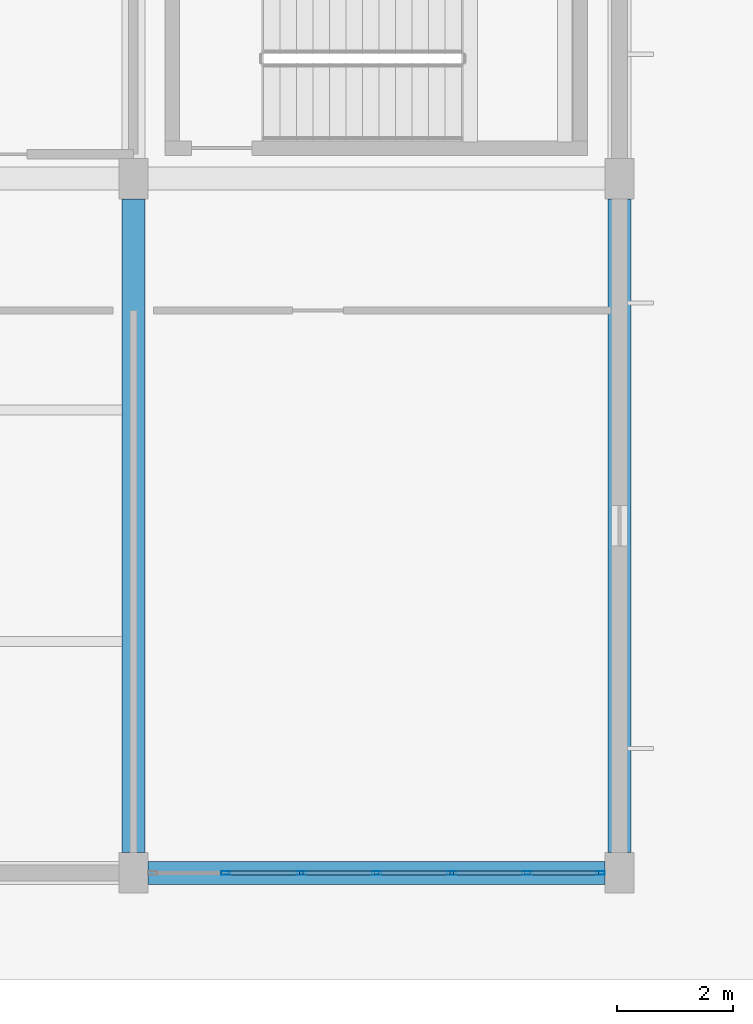
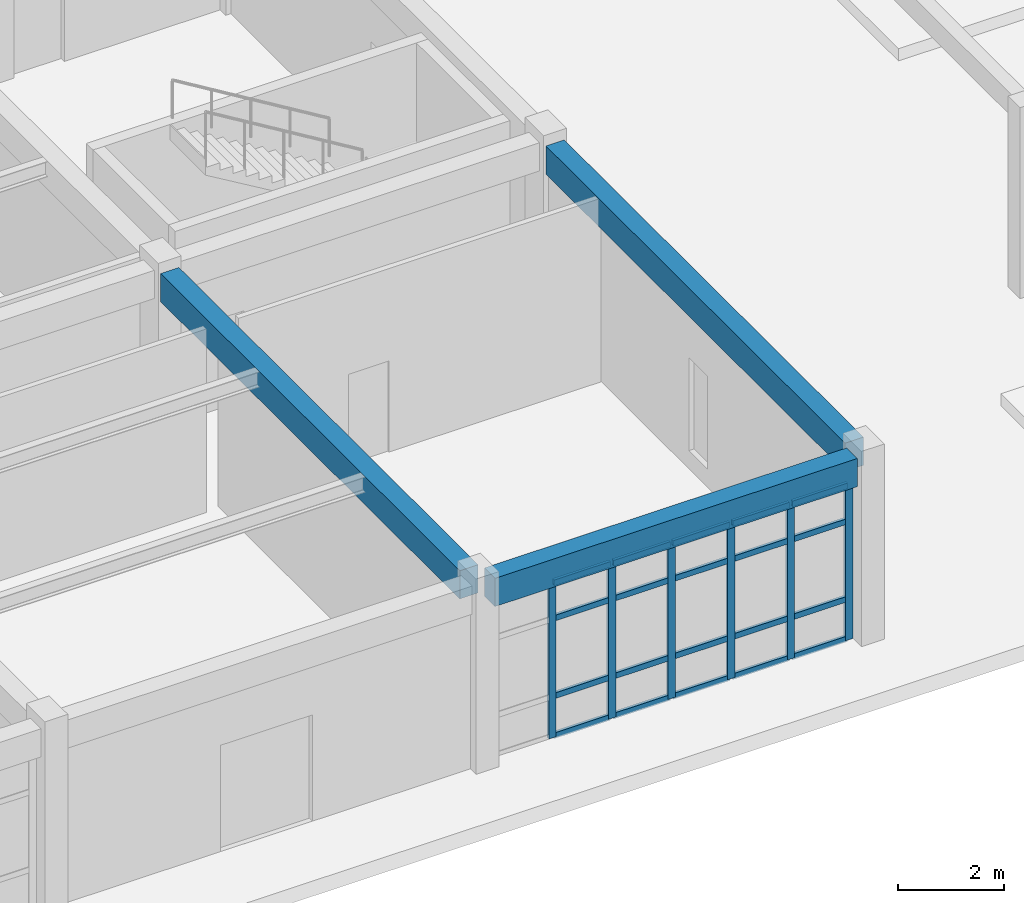
# One storey, part 42 of 154: 26 members, 3 beams, 1 element without a shape of its own.
"""IFC4 building model written with IfcOpenShell, lengths in metres."""

from ifc_helpers import new_model, si_unit, direction, frame, origin, origin_2d, place, context, subcontext, project, spatial, rectangle, hollow_rectangle, extrude, material, material_profile, profile_set, type_object, element, aggregate, save


model = new_model("IFC4")

# Units and contexts
model_context = context("Model", 3, precision=1e-05, world=origin(), true_north=direction((0.0, 1.0)))
body_context = subcontext(model_context, "Body", "Model", "MODEL_VIEW")
ifc_project = project(units=[si_unit("LENGTHUNIT", "METRE"), si_unit("AREAUNIT", "SQUARE_METRE"), si_unit("VOLUMEUNIT", "CUBIC_METRE"), si_unit("PLANEANGLEUNIT", "RADIAN"), si_unit("MASSUNIT", "GRAM", prefix="KILO")], contexts=[model_context])

# Site, building, storey
site_placement = place(None, origin())
site = spatial("IfcSite", under=ifc_project, at=site_placement, CompositionType="ELEMENT")
building_placement = place(site_placement, origin())
building = spatial("IfcBuilding", under=site, at=building_placement, Name="Kestramere Prow Commons", CompositionType="ELEMENT")
storey_placement = place(building_placement, origin())
storey = spatial("IfcBuildingStorey", under=building, at=storey_placement, Name="L00", CompositionType="ELEMENT", Elevation=0.0)

# Beams
ifc_material_1 = material(Name="Precast concrete C40/50", Category="concrete")
ifc_material_profile_1 = material_profile(ifc_material_1, rectangle(XDim=0.39990234375, YDim=0.64990234375, at=origin_2d()), Name="PC-BM 400x650")
ifc_profile_set_1 = profile_set([ifc_material_profile_1], Name="Precast concrete C40/50")
beam_type_1 = type_object("IfcBeamType", Name="BM-MK-01 PC-BM 400x650", PredefinedType="BEAM", material=ifc_profile_set_1)
beam_1_placement = place(storey_placement, frame((103.60009765625, 0.35009765625, 3.925048828125), z_axis=(0.0, 1.0, 0.0), x_axis=(-1.0, 0.0, 0.0)))
element("IfcBeam", 1, at=beam_1_placement, inside=storey, type_object=beam_type_1, Name="Market Spine L00 Beam Y 6-1", PredefinedType="BEAM", context=body_context, shape_type="SweptSolid", body=[
    extrude(rectangle(XDim=0.39990234375, YDim=0.64990234375, at=origin_2d()), origin(), (0.0, 0.0, 1.0), 11.2998046875),
])
ifc_material_profile_2 = material_profile(ifc_material_1, rectangle(XDim=0.39990234375, YDim=0.64990234375, at=origin_2d()), Name="PC-BM 400x650")
ifc_profile_set_2 = profile_set([ifc_material_profile_2], Name="Precast concrete C40/50")
beam_type_2 = type_object("IfcBeamType", Name="BM-MK-01 PC-BM 400x650 (EX)", PredefinedType="BEAM", material=ifc_profile_set_2)
beam_2_placement = place(storey_placement, frame((103.85009765625, 0.0, 3.925048828125), z_axis=(1.0, 0.0, 0.0), x_axis=(0.0, 1.0, 0.0)))
element("IfcBeam", 2, at=beam_2_placement, inside=storey, type_object=beam_type_2, Name="Market Spine L00 Beam X 1-6", PredefinedType="BEAM", context=body_context, shape_type="SweptSolid", body=[
    extrude(rectangle(XDim=0.39990234375, YDim=0.64990234375, at=origin_2d()), origin(), (0.0, 0.0, 1.0), 7.89990234375),
])
beam_3_placement = place(storey_placement, frame((112.0, 0.35009765625, 3.925048828125), z_axis=(0.0, 1.0, 0.0), x_axis=(-1.0, 0.0, 0.0)))
element("IfcBeam", 3, at=beam_3_placement, inside=storey, type_object=beam_type_2, Name="Market Spine L00 Beam Y 7-1", PredefinedType="BEAM", context=body_context, shape_type="SweptSolid", body=[
    extrude(rectangle(XDim=0.39990234375, YDim=0.64990234375, at=origin_2d()), origin(), (0.0, 0.0, 1.0), 11.2998046875),
])

# Curtain wall, members
ifc_material_2 = material(Name="Anodised Aluminium and Low-E Glass", Category="aluminium")
curtain_wall_type = type_object("IfcCurtainWallType", Name="CW-19 Glazed Curtain Wall 7800x3590", PredefinedType="USERDEFINED", material=ifc_material_2)
curtain_wall_placement = place(storey_placement, origin())
curtain_wall = element("IfcCurtainWall", 4, at=curtain_wall_placement, inside=storey, type_object=curtain_wall_type, Name="Market L00 South Shopfront 6", ObjectType="GLAZED CURTAIN WALL", PredefinedType="USERDEFINED")
ifc_material_3 = material(Name="Anodised Aluminium 6063-T6", Category="aluminium")
ifc_material_profile_3 = material_profile(ifc_material_3, hollow_rectangle(XDim=0.06494140625, YDim=0.159912109375, WallThickness=0.00390625, at=origin_2d()), Name="ALU-MUL 65x160")
ifc_profile_set_3 = profile_set([ifc_material_profile_3], Name="Anodised Aluminium 6063-T6")
member_type_1 = type_object("IfcMemberType", Name="CW-MUL-65x160", PredefinedType="MULLION", material=ifc_profile_set_3)
member_1_placement = place(storey_placement, frame((111.66748046875, 0.0, 0.0), z_axis=(0.0, 0.0, 1.0), x_axis=(0.0, -1.0, 0.0)))
member_1 = element("IfcMember", 5, at=member_1_placement, type_object=member_type_1, Name="CW-19 mullion 1", PredefinedType="MULLION", context=body_context, shape_type="SweptSolid", body=[
    extrude(hollow_rectangle(XDim=0.06494140625, YDim=0.159912109375, WallThickness=0.00390625, at=origin_2d()), origin(), (0.0, 0.0, 1.0), 3.590087890625),
])
member_2_placement = place(storey_placement, frame((110.39990234375, 0.0, 0.0), z_axis=(0.0, 0.0, 1.0), x_axis=(0.0, -1.0, 0.0)))
member_2 = element("IfcMember", 6, at=member_2_placement, type_object=member_type_1, Name="CW-19 mullion 2", PredefinedType="MULLION", context=body_context, shape_type="SweptSolid", body=[
    extrude(hollow_rectangle(XDim=0.06494140625, YDim=0.159912109375, WallThickness=0.00390625, at=origin_2d()), origin(), (0.0, 0.0, 1.0), 3.590087890625),
])
member_3_placement = place(storey_placement, frame((109.10009765625, 0.0, 0.0), z_axis=(0.0, 0.0, 1.0), x_axis=(0.0, -1.0, 0.0)))
member_3 = element("IfcMember", 7, at=member_3_placement, type_object=member_type_1, Name="CW-19 mullion 3", PredefinedType="MULLION", context=body_context, shape_type="SweptSolid", body=[
    extrude(hollow_rectangle(XDim=0.06494140625, YDim=0.159912109375, WallThickness=0.00390625, at=origin_2d()), origin(), (0.0, 0.0, 1.0), 3.590087890625),
])
member_4_placement = place(storey_placement, frame((107.800048828125, 0.0, 0.0), z_axis=(0.0, 0.0, 1.0), x_axis=(0.0, -1.0, 0.0)))
member_4 = element("IfcMember", 8, at=member_4_placement, type_object=member_type_1, Name="CW-19 mullion 4", PredefinedType="MULLION", context=body_context, shape_type="SweptSolid", body=[
    extrude(hollow_rectangle(XDim=0.06494140625, YDim=0.159912109375, WallThickness=0.00390625, at=origin_2d()), origin(), (0.0, 0.0, 1.0), 3.590087890625),
])
member_5_placement = place(storey_placement, frame((106.5, 0.0, 0.0), z_axis=(0.0, 0.0, 1.0), x_axis=(0.0, -1.0, 0.0)))
member_5 = element("IfcMember", 9, at=member_5_placement, type_object=member_type_1, Name="CW-19 mullion 5", PredefinedType="MULLION", context=body_context, shape_type="SweptSolid", body=[
    extrude(hollow_rectangle(XDim=0.06494140625, YDim=0.159912109375, WallThickness=0.00390625, at=origin_2d()), origin(), (0.0, 0.0, 1.0), 3.590087890625),
])
member_6_placement = place(storey_placement, frame((105.199951171875, 0.0, 0.0), z_axis=(0.0, 0.0, 1.0), x_axis=(0.0, -1.0, 0.0)))
member_6 = element("IfcMember", 10, at=member_6_placement, type_object=member_type_1, Name="CW-19 mullion 6", PredefinedType="MULLION", context=body_context, shape_type="SweptSolid", body=[
    extrude(hollow_rectangle(XDim=0.06494140625, YDim=0.159912109375, WallThickness=0.00390625, at=origin_2d()), origin(), (0.0, 0.0, 1.0), 3.590087890625),
])
ifc_material_profile_4 = material_profile(ifc_material_3, hollow_rectangle(XDim=0.06494140625, YDim=0.1298828125, WallThickness=0.00390625, at=origin_2d()), Name="ALU-TRN 65x130")
ifc_profile_set_4 = profile_set([ifc_material_profile_4], Name="Anodised Aluminium 6063-T6")
member_type_2 = type_object("IfcMemberType", Name="CW-TRN-65x130", PredefinedType="USERDEFINED", material=ifc_profile_set_4)
member_7_placement = place(storey_placement, frame((111.635009765625, 0.0, 0.032470703125), z_axis=(-1.0, 0.0, 0.0), x_axis=(0.0, -1.0, 0.0)))
member_7 = element("IfcMember", 11, at=member_7_placement, type_object=member_type_2, Name="CW-19 transom 1.1", ObjectType="TRANSOM", PredefinedType="USERDEFINED", context=body_context, shape_type="SweptSolid", body=[
    extrude(hollow_rectangle(XDim=0.06494140625, YDim=0.1298828125, WallThickness=0.00390625, at=origin_2d()), origin(), (0.0, 0.0, 1.0), 1.202392578125),
])
member_8_placement = place(storey_placement, frame((111.635009765625, 0.0, 0.949951171875), z_axis=(-1.0, 0.0, 0.0), x_axis=(0.0, -1.0, 0.0)))
member_8 = element("IfcMember", 12, at=member_8_placement, type_object=member_type_2, Name="CW-19 transom 1.2", ObjectType="TRANSOM", PredefinedType="USERDEFINED", context=body_context, shape_type="SweptSolid", body=[
    extrude(hollow_rectangle(XDim=0.06494140625, YDim=0.1298828125, WallThickness=0.00390625, at=origin_2d()), origin(), (0.0, 0.0, 1.0), 1.202392578125),
])
member_9_placement = place(storey_placement, frame((111.635009765625, 0.0, 2.739990234375), z_axis=(-1.0, 0.0, 0.0), x_axis=(0.0, -1.0, 0.0)))
member_9 = element("IfcMember", 13, at=member_9_placement, type_object=member_type_2, Name="CW-19 transom 1.3", ObjectType="TRANSOM", PredefinedType="USERDEFINED", context=body_context, shape_type="SweptSolid", body=[
    extrude(hollow_rectangle(XDim=0.06494140625, YDim=0.1298828125, WallThickness=0.00390625, at=origin_2d()), origin(), (0.0, 0.0, 1.0), 1.202392578125),
])
member_10_placement = place(storey_placement, frame((111.635009765625, 0.0, 3.5576171875), z_axis=(-1.0, 0.0, 0.0), x_axis=(0.0, -1.0, 0.0)))
member_10 = element("IfcMember", 14, at=member_10_placement, type_object=member_type_2, Name="CW-19 transom 1.4", ObjectType="TRANSOM", PredefinedType="USERDEFINED", context=body_context, shape_type="SweptSolid", body=[
    extrude(hollow_rectangle(XDim=0.06494140625, YDim=0.1298828125, WallThickness=0.00390625, at=origin_2d()), origin(), (0.0, 0.0, 1.0), 1.202392578125),
])
member_11_placement = place(storey_placement, frame((110.367431640625, 0.0, 0.032470703125), z_axis=(-1.0, 0.0, 0.0), x_axis=(0.0, -1.0, 0.0)))
member_11 = element("IfcMember", 15, at=member_11_placement, type_object=member_type_2, Name="CW-19 transom 2.1", ObjectType="TRANSOM", PredefinedType="USERDEFINED", context=body_context, shape_type="SweptSolid", body=[
    extrude(hollow_rectangle(XDim=0.06494140625, YDim=0.1298828125, WallThickness=0.00390625, at=origin_2d()), origin(), (0.0, 0.0, 1.0), 1.23486328125),
])
member_12_placement = place(storey_placement, frame((110.367431640625, 0.0, 0.949951171875), z_axis=(-1.0, 0.0, 0.0), x_axis=(0.0, -1.0, 0.0)))
member_12 = element("IfcMember", 16, at=member_12_placement, type_object=member_type_2, Name="CW-19 transom 2.2", ObjectType="TRANSOM", PredefinedType="USERDEFINED", context=body_context, shape_type="SweptSolid", body=[
    extrude(hollow_rectangle(XDim=0.06494140625, YDim=0.1298828125, WallThickness=0.00390625, at=origin_2d()), origin(), (0.0, 0.0, 1.0), 1.23486328125),
])
member_13_placement = place(storey_placement, frame((110.367431640625, 0.0, 2.739990234375), z_axis=(-1.0, 0.0, 0.0), x_axis=(0.0, -1.0, 0.0)))
member_13 = element("IfcMember", 17, at=member_13_placement, type_object=member_type_2, Name="CW-19 transom 2.3", ObjectType="TRANSOM", PredefinedType="USERDEFINED", context=body_context, shape_type="SweptSolid", body=[
    extrude(hollow_rectangle(XDim=0.06494140625, YDim=0.1298828125, WallThickness=0.00390625, at=origin_2d()), origin(), (0.0, 0.0, 1.0), 1.23486328125),
])
member_14_placement = place(storey_placement, frame((110.367431640625, 0.0, 3.5576171875), z_axis=(-1.0, 0.0, 0.0), x_axis=(0.0, -1.0, 0.0)))
member_14 = element("IfcMember", 18, at=member_14_placement, type_object=member_type_2, Name="CW-19 transom 2.4", ObjectType="TRANSOM", PredefinedType="USERDEFINED", context=body_context, shape_type="SweptSolid", body=[
    extrude(hollow_rectangle(XDim=0.06494140625, YDim=0.1298828125, WallThickness=0.00390625, at=origin_2d()), origin(), (0.0, 0.0, 1.0), 1.23486328125),
])
member_15_placement = place(storey_placement, frame((109.0673828125, 0.0, 0.032470703125), z_axis=(-1.0, 0.0, 0.0), x_axis=(0.0, -1.0, 0.0)))
member_15 = element("IfcMember", 19, at=member_15_placement, type_object=member_type_2, Name="CW-19 transom 3.1", ObjectType="TRANSOM", PredefinedType="USERDEFINED", context=body_context, shape_type="SweptSolid", body=[
    extrude(hollow_rectangle(XDim=0.06494140625, YDim=0.1298828125, WallThickness=0.00390625, at=origin_2d()), origin(), (0.0, 0.0, 1.0), 1.23486328125),
])
member_16_placement = place(storey_placement, frame((109.0673828125, 0.0, 0.949951171875), z_axis=(-1.0, 0.0, 0.0), x_axis=(0.0, -1.0, 0.0)))
member_16 = element("IfcMember", 20, at=member_16_placement, type_object=member_type_2, Name="CW-19 transom 3.2", ObjectType="TRANSOM", PredefinedType="USERDEFINED", context=body_context, shape_type="SweptSolid", body=[
    extrude(hollow_rectangle(XDim=0.06494140625, YDim=0.1298828125, WallThickness=0.00390625, at=origin_2d()), origin(), (0.0, 0.0, 1.0), 1.23486328125),
])
member_17_placement = place(storey_placement, frame((109.0673828125, 0.0, 2.739990234375), z_axis=(-1.0, 0.0, 0.0), x_axis=(0.0, -1.0, 0.0)))
member_17 = element("IfcMember", 21, at=member_17_placement, type_object=member_type_2, Name="CW-19 transom 3.3", ObjectType="TRANSOM", PredefinedType="USERDEFINED", context=body_context, shape_type="SweptSolid", body=[
    extrude(hollow_rectangle(XDim=0.06494140625, YDim=0.1298828125, WallThickness=0.00390625, at=origin_2d()), origin(), (0.0, 0.0, 1.0), 1.23486328125),
])
member_18_placement = place(storey_placement, frame((109.0673828125, 0.0, 3.5576171875), z_axis=(-1.0, 0.0, 0.0), x_axis=(0.0, -1.0, 0.0)))
member_18 = element("IfcMember", 22, at=member_18_placement, type_object=member_type_2, Name="CW-19 transom 3.4", ObjectType="TRANSOM", PredefinedType="USERDEFINED", context=body_context, shape_type="SweptSolid", body=[
    extrude(hollow_rectangle(XDim=0.06494140625, YDim=0.1298828125, WallThickness=0.00390625, at=origin_2d()), origin(), (0.0, 0.0, 1.0), 1.23486328125),
])
member_19_placement = place(storey_placement, frame((107.767578125, 0.0, 0.032470703125), z_axis=(-1.0, 0.0, 0.0), x_axis=(0.0, -1.0, 0.0)))
member_19 = element("IfcMember", 23, at=member_19_placement, type_object=member_type_2, Name="CW-19 transom 4.1", ObjectType="TRANSOM", PredefinedType="USERDEFINED", context=body_context, shape_type="SweptSolid", body=[
    extrude(hollow_rectangle(XDim=0.06494140625, YDim=0.1298828125, WallThickness=0.00390625, at=origin_2d()), origin(), (0.0, 0.0, 1.0), 1.235107421875),
])
member_20_placement = place(storey_placement, frame((107.767578125, 0.0, 0.949951171875), z_axis=(-1.0, 0.0, 0.0), x_axis=(0.0, -1.0, 0.0)))
member_20 = element("IfcMember", 24, at=member_20_placement, type_object=member_type_2, Name="CW-19 transom 4.2", ObjectType="TRANSOM", PredefinedType="USERDEFINED", context=body_context, shape_type="SweptSolid", body=[
    extrude(hollow_rectangle(XDim=0.06494140625, YDim=0.1298828125, WallThickness=0.00390625, at=origin_2d()), origin(), (0.0, 0.0, 1.0), 1.235107421875),
])
member_21_placement = place(storey_placement, frame((107.767578125, 0.0, 2.739990234375), z_axis=(-1.0, 0.0, 0.0), x_axis=(0.0, -1.0, 0.0)))
member_21 = element("IfcMember", 25, at=member_21_placement, type_object=member_type_2, Name="CW-19 transom 4.3", ObjectType="TRANSOM", PredefinedType="USERDEFINED", context=body_context, shape_type="SweptSolid", body=[
    extrude(hollow_rectangle(XDim=0.06494140625, YDim=0.1298828125, WallThickness=0.00390625, at=origin_2d()), origin(), (0.0, 0.0, 1.0), 1.235107421875),
])
member_22_placement = place(storey_placement, frame((107.767578125, 0.0, 3.5576171875), z_axis=(-1.0, 0.0, 0.0), x_axis=(0.0, -1.0, 0.0)))
member_22 = element("IfcMember", 26, at=member_22_placement, type_object=member_type_2, Name="CW-19 transom 4.4", ObjectType="TRANSOM", PredefinedType="USERDEFINED", context=body_context, shape_type="SweptSolid", body=[
    extrude(hollow_rectangle(XDim=0.06494140625, YDim=0.1298828125, WallThickness=0.00390625, at=origin_2d()), origin(), (0.0, 0.0, 1.0), 1.235107421875),
])
member_23_placement = place(storey_placement, frame((106.467529296875, 0.0, 0.032470703125), z_axis=(-1.0, 0.0, 0.0), x_axis=(0.0, -1.0, 0.0)))
member_23 = element("IfcMember", 27, at=member_23_placement, type_object=member_type_2, Name="CW-19 transom 5.1", ObjectType="TRANSOM", PredefinedType="USERDEFINED", context=body_context, shape_type="SweptSolid", body=[
    extrude(hollow_rectangle(XDim=0.06494140625, YDim=0.1298828125, WallThickness=0.00390625, at=origin_2d()), origin(), (0.0, 0.0, 1.0), 1.235107421875),
])
member_24_placement = place(storey_placement, frame((106.467529296875, 0.0, 0.949951171875), z_axis=(-1.0, 0.0, 0.0), x_axis=(0.0, -1.0, 0.0)))
member_24 = element("IfcMember", 28, at=member_24_placement, type_object=member_type_2, Name="CW-19 transom 5.2", ObjectType="TRANSOM", PredefinedType="USERDEFINED", context=body_context, shape_type="SweptSolid", body=[
    extrude(hollow_rectangle(XDim=0.06494140625, YDim=0.1298828125, WallThickness=0.00390625, at=origin_2d()), origin(), (0.0, 0.0, 1.0), 1.235107421875),
])
member_25_placement = place(storey_placement, frame((106.467529296875, 0.0, 2.739990234375), z_axis=(-1.0, 0.0, 0.0), x_axis=(0.0, -1.0, 0.0)))
member_25 = element("IfcMember", 29, at=member_25_placement, type_object=member_type_2, Name="CW-19 transom 5.3", ObjectType="TRANSOM", PredefinedType="USERDEFINED", context=body_context, shape_type="SweptSolid", body=[
    extrude(hollow_rectangle(XDim=0.06494140625, YDim=0.1298828125, WallThickness=0.00390625, at=origin_2d()), origin(), (0.0, 0.0, 1.0), 1.235107421875),
])
member_26_placement = place(storey_placement, frame((106.467529296875, 0.0, 3.5576171875), z_axis=(-1.0, 0.0, 0.0), x_axis=(0.0, -1.0, 0.0)))
member_26 = element("IfcMember", 30, at=member_26_placement, type_object=member_type_2, Name="CW-19 transom 5.4", ObjectType="TRANSOM", PredefinedType="USERDEFINED", context=body_context, shape_type="SweptSolid", body=[
    extrude(hollow_rectangle(XDim=0.06494140625, YDim=0.1298828125, WallThickness=0.00390625, at=origin_2d()), origin(), (0.0, 0.0, 1.0), 1.235107421875),
])
aggregate(curtain_wall, [member_1, member_2, member_3, member_4, member_5, member_6, member_7, member_8, member_9, member_10, member_11, member_12, member_13, member_14, member_15, member_16, member_17, member_18, member_19, member_20, member_21, member_22, member_23, member_24, member_25, member_26])

save(model, "model.ifc")
